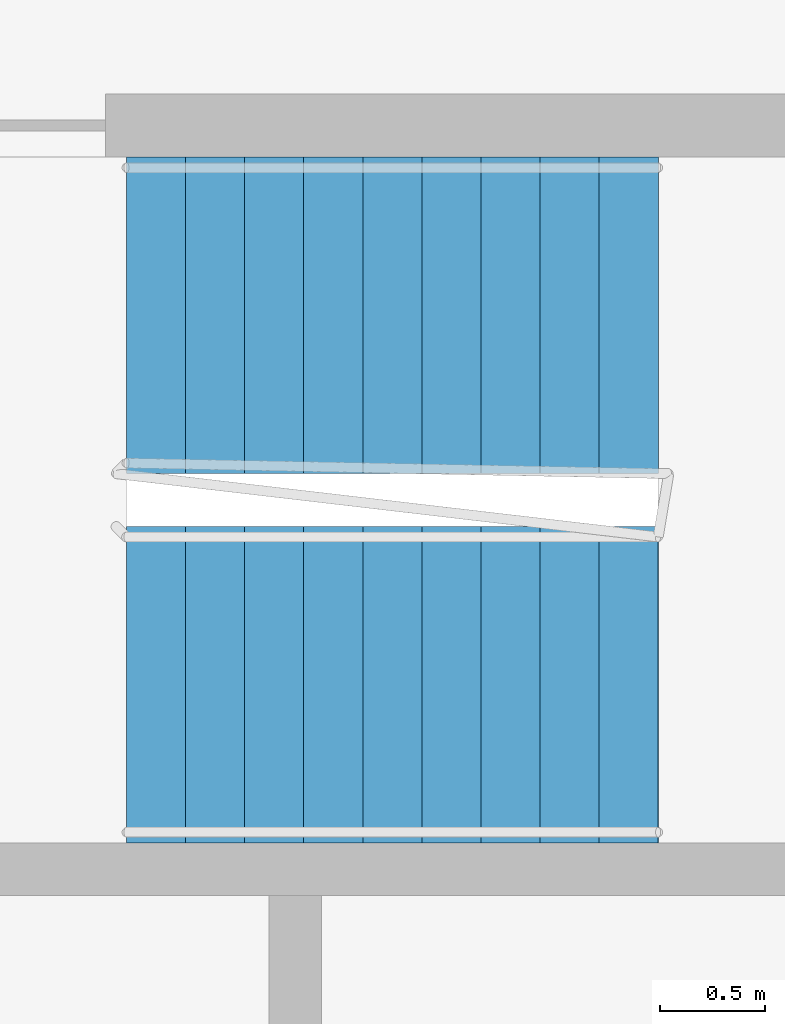
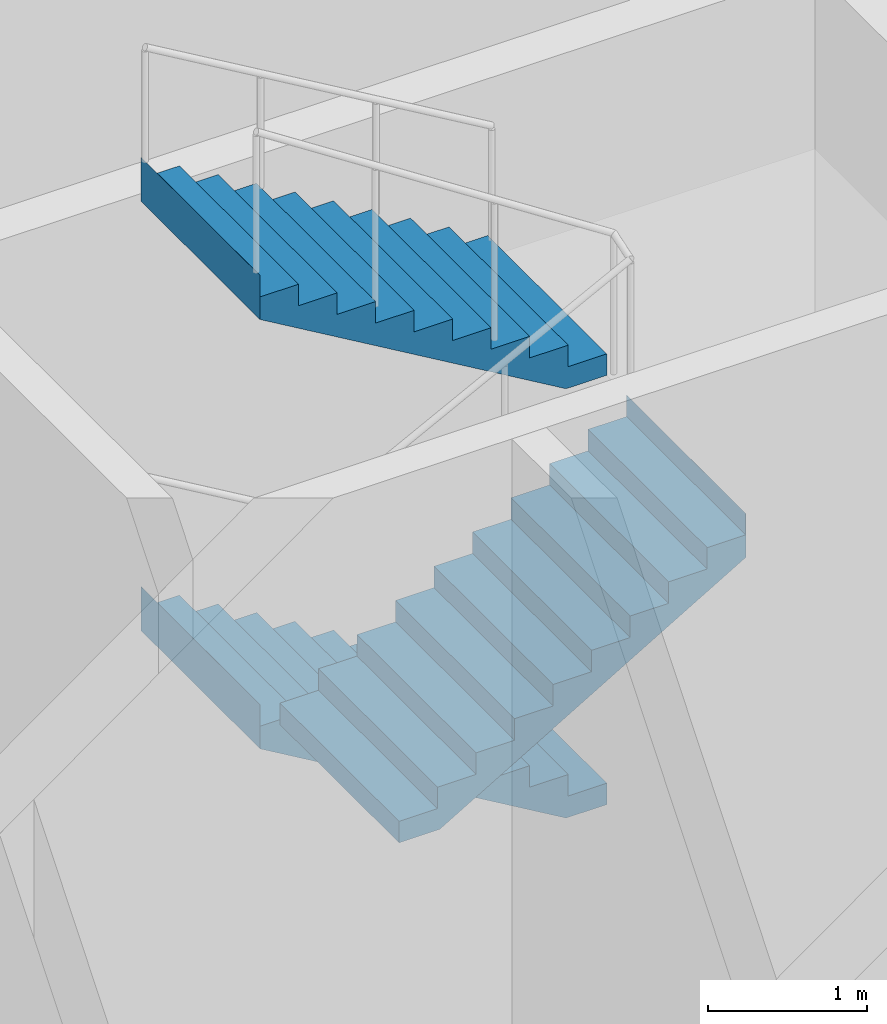
# One storey, part 21 of 24: 3 stair flights, 1 element without a shape of its own.
"""IFC4 building model written with IfcOpenShell, lengths in metres."""

from ifc_helpers import new_model, si_unit, direction, frame, origin, place, context, subcontext, project, spatial, faceted_brep, material, type_object, element, aggregate, save


model = new_model("IFC4")

# Units and contexts
model_context = context("Model", 3, precision=1e-05, world=origin(), true_north=direction((0.0, 1.0)))
body_context = subcontext(model_context, "Body", "Model", "MODEL_VIEW")
ifc_project = project(units=[si_unit("LENGTHUNIT", "METRE"), si_unit("AREAUNIT", "SQUARE_METRE"), si_unit("VOLUMEUNIT", "CUBIC_METRE"), si_unit("PLANEANGLEUNIT", "RADIAN"), si_unit("MASSUNIT", "GRAM", prefix="KILO")], contexts=[model_context])

# Site, building, storey
site_placement = place(None, origin())
site = spatial("IfcSite", under=ifc_project, at=site_placement, CompositionType="ELEMENT")
building_placement = place(site_placement, origin())
building = spatial("IfcBuilding", under=site, at=building_placement, Name="Kajstack Hotel Tower", CompositionType="ELEMENT")
storey_placement = place(building_placement, frame((0.0, 0.0, 211.10009765625)))
storey = spatial("IfcBuildingStorey", under=building, at=storey_placement, Name="L51", CompositionType="ELEMENT", Elevation=211.10009765625)

# Stair, stair flights
ifc_material = material(Name="Concrete C40/50", Category="concrete")
stair_type = type_object("IfcStairType", Name="Exit stair 1500", PredefinedType="HALF_TURN_STAIR", material=ifc_material)
stair_placement = place(storey_placement, origin())
stair = element("IfcStair", 1, at=stair_placement, inside=storey, type_object=stair_type, Name="L51 stair E3", PredefinedType="HALF_TURN_STAIR")
stair_flight_type = type_object("IfcStairFlightType", Name="Exit stair flight 1500", PredefinedType="STRAIGHT", material=ifc_material)
stair_flight_1_placement = place(storey_placement, frame((28.219970703125, 14.449951171875, 1.64990234375), z_axis=(0.0, 0.0, 1.0), x_axis=(-1.0, 0.0, 0.0)))
stair_flight_1 = element("IfcStairFlight", 2, at=stair_flight_1_placement, type_object=stair_flight_type, Name="E3 flight 2", NumberOfRisers=10, NumberOfTreads=9, PredefinedType="STRAIGHT", RiserHeight=0.165, TreadLength=0.28, context=body_context, shape_type="Brep", body=[
    faceted_brep([(0.295654296875, -0.75, 0.0), (2.5205078125, -0.75, 1.31103515625), (2.5205078125, -0.75, 1.64990234375), (2.52001953125, -0.75, 1.64990234375), (2.52001953125, -0.75, 1.485107421875), (2.239990234375, -0.75, 1.485107421875), (2.239990234375, -0.75, 1.320068359375), (1.9599609375, -0.75, 1.320068359375), (1.9599609375, -0.75, 1.155029296875), (1.679931640625, -0.75, 1.155029296875), (1.679931640625, -0.75, 0.989990234375), (1.39990234375, -0.75, 0.989990234375), (1.39990234375, -0.75, 0.824951171875), (1.1201171875, -0.75, 0.824951171875), (1.1201171875, -0.75, 0.659912109375), (0.840087890625, -0.75, 0.659912109375), (0.840087890625, -0.75, 0.4951171875), (0.56005859375, -0.75, 0.4951171875), (0.56005859375, -0.75, 0.330078125), (0.280029296875, -0.75, 0.330078125), (0.280029296875, -0.75, 0.1650390625), (-0.00048828125, -0.75, 0.1650390625), (-0.00048828125, -0.75, 0.0), (-0.00048828125, 0.75, 0.0), (-0.00048828125, 0.75, 0.1650390625), (0.280029296875, 0.75, 0.1650390625), (0.280029296875, 0.75, 0.330078125), (0.56005859375, 0.75, 0.330078125), (0.56005859375, 0.75, 0.4951171875), (0.840087890625, 0.75, 0.4951171875), (0.840087890625, 0.75, 0.659912109375), (1.1201171875, 0.75, 0.659912109375), (1.1201171875, 0.75, 0.824951171875), (1.39990234375, 0.75, 0.824951171875), (1.39990234375, 0.75, 0.989990234375), (1.679931640625, 0.75, 0.989990234375), (1.679931640625, 0.75, 1.155029296875), (1.9599609375, 0.75, 1.155029296875), (1.9599609375, 0.75, 1.320068359375), (2.239990234375, 0.75, 1.320068359375), (2.239990234375, 0.75, 1.485107421875), (2.52001953125, 0.75, 1.485107421875), (2.52001953125, 0.75, 1.64990234375), (2.5205078125, 0.75, 1.64990234375), (2.5205078125, 0.75, 1.31103515625), (0.295654296875, 0.75, 0.0), (-0.00048828125, -0.375, 0.1650390625), (-0.00048828125, 0.0, 0.1650390625), (-0.00048828125, 0.375, 0.1650390625), (-0.00048828125, 0.375, 0.0), (-0.00048828125, 0.0, 0.0), (-0.00048828125, -0.375, 0.0), (0.280029296875, -0.375, 0.1650390625), (0.280029296875, 0.0, 0.1650390625), (0.280029296875, 0.375, 0.1650390625), (0.280029296875, -0.375, 0.330078125), (0.280029296875, 0.0, 0.330078125), (0.280029296875, 0.375, 0.330078125), (0.56005859375, -0.375, 0.330078125), (0.56005859375, 0.0, 0.330078125), (0.56005859375, 0.375, 0.330078125), (0.56005859375, -0.375, 0.4951171875), (0.56005859375, 0.0, 0.4951171875), (0.56005859375, 0.375, 0.4951171875), (0.840087890625, -0.375, 0.4951171875), (0.840087890625, 0.0, 0.4951171875), (0.840087890625, 0.375, 0.4951171875), (0.840087890625, -0.375, 0.659912109375), (0.840087890625, 0.0, 0.659912109375), (0.840087890625, 0.375, 0.659912109375), (1.1201171875, -0.375, 0.659912109375), (1.1201171875, 0.0, 0.659912109375), (1.1201171875, 0.375, 0.659912109375), (1.1201171875, -0.375, 0.824951171875), (1.1201171875, 0.0, 0.824951171875), (1.1201171875, 0.375, 0.824951171875), (1.39990234375, -0.375, 0.824951171875), (1.39990234375, 0.0, 0.824951171875), (1.39990234375, 0.375, 0.824951171875), (1.39990234375, -0.375, 0.989990234375), (1.39990234375, 0.0, 0.989990234375), (1.39990234375, 0.375, 0.989990234375), (1.679931640625, -0.375, 0.989990234375), (1.679931640625, 0.0, 0.989990234375), (1.679931640625, 0.375, 0.989990234375), (1.679931640625, -0.375, 1.155029296875), (1.679931640625, 0.0, 1.155029296875), (1.679931640625, 0.375, 1.155029296875), (1.9599609375, -0.375, 1.155029296875), (1.9599609375, 0.0, 1.155029296875), (1.9599609375, 0.375, 1.155029296875), (1.9599609375, -0.375, 1.320068359375), (1.9599609375, 0.0, 1.320068359375), (1.9599609375, 0.375, 1.320068359375), (2.239990234375, -0.375, 1.320068359375), (2.239990234375, 0.0, 1.320068359375), (2.239990234375, 0.375, 1.320068359375), (2.239990234375, -0.375, 1.485107421875), (2.239990234375, 0.0, 1.485107421875), (2.239990234375, 0.375, 1.485107421875), (2.52001953125, -0.375, 1.485107421875), (2.52001953125, 0.0, 1.485107421875), (2.52001953125, 0.375, 1.485107421875), (2.52001953125, -0.375, 1.64990234375), (2.52001953125, 0.0, 1.64990234375), (2.52001953125, 0.375, 1.64990234375), (2.5205078125, -0.375, 1.64990234375), (2.5205078125, 0.0, 1.64990234375), (2.5205078125, 0.375, 1.64990234375), (2.5205078125, -0.375, 1.31103515625), (2.5205078125, 0.0, 1.31103515625), (2.5205078125, 0.375, 1.31103515625), (0.295654296875, -0.375, 0.0), (0.295654296875, 0.0, 0.0), (0.295654296875, 0.375, 0.0)], [[[0, 1, 2, 3, 4, 5, 6, 7, 8, 9, 10, 11, 12, 13, 14, 15, 16, 17, 18, 19, 20, 21, 22]], [[23, 24, 25, 26, 27, 28, 29, 30, 31, 32, 33, 34, 35, 36, 37, 38, 39, 40, 41, 42, 43, 44, 45]], [[21, 46, 47, 48, 24, 23, 49, 50, 51, 22]], [[20, 52, 53, 54, 25, 24, 48, 47, 46, 21]], [[19, 55, 56, 57, 26, 25, 54, 53, 52, 20]], [[18, 58, 59, 60, 27, 26, 57, 56, 55, 19]], [[17, 61, 62, 63, 28, 27, 60, 59, 58, 18]], [[16, 64, 65, 66, 29, 28, 63, 62, 61, 17]], [[15, 67, 68, 69, 30, 29, 66, 65, 64, 16]], [[14, 70, 71, 72, 31, 30, 69, 68, 67, 15]], [[13, 73, 74, 75, 32, 31, 72, 71, 70, 14]], [[12, 76, 77, 78, 33, 32, 75, 74, 73, 13]], [[11, 79, 80, 81, 34, 33, 78, 77, 76, 12]], [[10, 82, 83, 84, 35, 34, 81, 80, 79, 11]], [[9, 85, 86, 87, 36, 35, 84, 83, 82, 10]], [[8, 88, 89, 90, 37, 36, 87, 86, 85, 9]], [[7, 91, 92, 93, 38, 37, 90, 89, 88, 8]], [[6, 94, 95, 96, 39, 38, 93, 92, 91, 7]], [[5, 97, 98, 99, 40, 39, 96, 95, 94, 6]], [[4, 100, 101, 102, 41, 40, 99, 98, 97, 5]], [[3, 103, 104, 105, 42, 41, 102, 101, 100, 4]], [[2, 106, 107, 108, 43, 42, 105, 104, 103, 3]], [[1, 109, 110, 111, 44, 43, 108, 107, 106, 2]], [[0, 112, 113, 114, 45, 44, 111, 110, 109, 1]], [[22, 51, 50, 49, 23, 45, 114, 113, 112, 0]]]),
])
stair_flight_2_placement = place(storey_placement, frame((25.699951171875, 12.699951171875, 3.2998046875), z_axis=(0.0, 0.0, 1.0), x_axis=(1.0, 0.0, 0.0)))
stair_flight_2 = element("IfcStairFlight", 3, at=stair_flight_2_placement, type_object=stair_flight_type, Name="E3 flight 3", NumberOfRisers=10, NumberOfTreads=9, PredefinedType="STRAIGHT", RiserHeight=0.165, TreadLength=0.28, context=body_context, shape_type="Brep", body=[
    faceted_brep([(0.295654296875, -0.75, 0.0), (2.5205078125, -0.75, 1.31103515625), (2.5205078125, -0.75, 1.64990234375), (2.52001953125, -0.75, 1.64990234375), (2.52001953125, -0.75, 1.485107421875), (2.239990234375, -0.75, 1.485107421875), (2.239990234375, -0.75, 1.320068359375), (1.9599609375, -0.75, 1.320068359375), (1.9599609375, -0.75, 1.155029296875), (1.679931640625, -0.75, 1.155029296875), (1.679931640625, -0.75, 0.989990234375), (1.39990234375, -0.75, 0.989990234375), (1.39990234375, -0.75, 0.824951171875), (1.1201171875, -0.75, 0.824951171875), (1.1201171875, -0.75, 0.659912109375), (0.840087890625, -0.75, 0.659912109375), (0.840087890625, -0.75, 0.4951171875), (0.56005859375, -0.75, 0.4951171875), (0.56005859375, -0.75, 0.330078125), (0.280029296875, -0.75, 0.330078125), (0.280029296875, -0.75, 0.1650390625), (-0.00048828125, -0.75, 0.1650390625), (-0.00048828125, -0.75, 0.0), (-0.00048828125, 0.75, 0.0), (-0.00048828125, 0.75, 0.1650390625), (0.280029296875, 0.75, 0.1650390625), (0.280029296875, 0.75, 0.330078125), (0.56005859375, 0.75, 0.330078125), (0.56005859375, 0.75, 0.4951171875), (0.840087890625, 0.75, 0.4951171875), (0.840087890625, 0.75, 0.659912109375), (1.1201171875, 0.75, 0.659912109375), (1.1201171875, 0.75, 0.824951171875), (1.39990234375, 0.75, 0.824951171875), (1.39990234375, 0.75, 0.989990234375), (1.679931640625, 0.75, 0.989990234375), (1.679931640625, 0.75, 1.155029296875), (1.9599609375, 0.75, 1.155029296875), (1.9599609375, 0.75, 1.320068359375), (2.239990234375, 0.75, 1.320068359375), (2.239990234375, 0.75, 1.485107421875), (2.52001953125, 0.75, 1.485107421875), (2.52001953125, 0.75, 1.64990234375), (2.5205078125, 0.75, 1.64990234375), (2.5205078125, 0.75, 1.31103515625), (0.295654296875, 0.75, 0.0), (-0.00048828125, -0.375, 0.1650390625), (-0.00048828125, 0.0, 0.1650390625), (-0.00048828125, 0.375, 0.1650390625), (-0.00048828125, 0.375, 0.0), (-0.00048828125, 0.0, 0.0), (-0.00048828125, -0.375, 0.0), (0.280029296875, -0.375, 0.1650390625), (0.280029296875, 0.0, 0.1650390625), (0.280029296875, 0.375, 0.1650390625), (0.280029296875, -0.375, 0.330078125), (0.280029296875, 0.0, 0.330078125), (0.280029296875, 0.375, 0.330078125), (0.56005859375, -0.375, 0.330078125), (0.56005859375, 0.0, 0.330078125), (0.56005859375, 0.375, 0.330078125), (0.56005859375, -0.375, 0.4951171875), (0.56005859375, 0.0, 0.4951171875), (0.56005859375, 0.375, 0.4951171875), (0.840087890625, -0.375, 0.4951171875), (0.840087890625, 0.0, 0.4951171875), (0.840087890625, 0.375, 0.4951171875), (0.840087890625, -0.375, 0.659912109375), (0.840087890625, 0.0, 0.659912109375), (0.840087890625, 0.375, 0.659912109375), (1.1201171875, -0.375, 0.659912109375), (1.1201171875, 0.0, 0.659912109375), (1.1201171875, 0.375, 0.659912109375), (1.1201171875, -0.375, 0.824951171875), (1.1201171875, 0.0, 0.824951171875), (1.1201171875, 0.375, 0.824951171875), (1.39990234375, -0.375, 0.824951171875), (1.39990234375, 0.0, 0.824951171875), (1.39990234375, 0.375, 0.824951171875), (1.39990234375, -0.375, 0.989990234375), (1.39990234375, 0.0, 0.989990234375), (1.39990234375, 0.375, 0.989990234375), (1.679931640625, -0.375, 0.989990234375), (1.679931640625, 0.0, 0.989990234375), (1.679931640625, 0.375, 0.989990234375), (1.679931640625, -0.375, 1.155029296875), (1.679931640625, 0.0, 1.155029296875), (1.679931640625, 0.375, 1.155029296875), (1.9599609375, -0.375, 1.155029296875), (1.9599609375, 0.0, 1.155029296875), (1.9599609375, 0.375, 1.155029296875), (1.9599609375, -0.375, 1.320068359375), (1.9599609375, 0.0, 1.320068359375), (1.9599609375, 0.375, 1.320068359375), (2.239990234375, -0.375, 1.320068359375), (2.239990234375, 0.0, 1.320068359375), (2.239990234375, 0.375, 1.320068359375), (2.239990234375, -0.375, 1.485107421875), (2.239990234375, 0.0, 1.485107421875), (2.239990234375, 0.375, 1.485107421875), (2.52001953125, -0.375, 1.485107421875), (2.52001953125, 0.0, 1.485107421875), (2.52001953125, 0.375, 1.485107421875), (2.52001953125, -0.375, 1.64990234375), (2.52001953125, 0.0, 1.64990234375), (2.52001953125, 0.375, 1.64990234375), (2.5205078125, -0.375, 1.64990234375), (2.5205078125, 0.0, 1.64990234375), (2.5205078125, 0.375, 1.64990234375), (2.5205078125, -0.375, 1.31103515625), (2.5205078125, 0.0, 1.31103515625), (2.5205078125, 0.375, 1.31103515625), (0.295654296875, -0.375, 0.0), (0.295654296875, 0.0, 0.0), (0.295654296875, 0.375, 0.0)], [[[0, 1, 2, 3, 4, 5, 6, 7, 8, 9, 10, 11, 12, 13, 14, 15, 16, 17, 18, 19, 20, 21, 22]], [[23, 24, 25, 26, 27, 28, 29, 30, 31, 32, 33, 34, 35, 36, 37, 38, 39, 40, 41, 42, 43, 44, 45]], [[21, 46, 47, 48, 24, 23, 49, 50, 51, 22]], [[20, 52, 53, 54, 25, 24, 48, 47, 46, 21]], [[19, 55, 56, 57, 26, 25, 54, 53, 52, 20]], [[18, 58, 59, 60, 27, 26, 57, 56, 55, 19]], [[17, 61, 62, 63, 28, 27, 60, 59, 58, 18]], [[16, 64, 65, 66, 29, 28, 63, 62, 61, 17]], [[15, 67, 68, 69, 30, 29, 66, 65, 64, 16]], [[14, 70, 71, 72, 31, 30, 69, 68, 67, 15]], [[13, 73, 74, 75, 32, 31, 72, 71, 70, 14]], [[12, 76, 77, 78, 33, 32, 75, 74, 73, 13]], [[11, 79, 80, 81, 34, 33, 78, 77, 76, 12]], [[10, 82, 83, 84, 35, 34, 81, 80, 79, 11]], [[9, 85, 86, 87, 36, 35, 84, 83, 82, 10]], [[8, 88, 89, 90, 37, 36, 87, 86, 85, 9]], [[7, 91, 92, 93, 38, 37, 90, 89, 88, 8]], [[6, 94, 95, 96, 39, 38, 93, 92, 91, 7]], [[5, 97, 98, 99, 40, 39, 96, 95, 94, 6]], [[4, 100, 101, 102, 41, 40, 99, 98, 97, 5]], [[3, 103, 104, 105, 42, 41, 102, 101, 100, 4]], [[2, 106, 107, 108, 43, 42, 105, 104, 103, 3]], [[1, 109, 110, 111, 44, 43, 108, 107, 106, 2]], [[0, 112, 113, 114, 45, 44, 111, 110, 109, 1]], [[22, 51, 50, 49, 23, 45, 114, 113, 112, 0]]]),
])
stair_flight_3_placement = place(storey_placement, frame((28.219970703125, 14.449951171875, 4.949951171875), z_axis=(0.0, 0.0, 1.0), x_axis=(-1.0, 0.0, 0.0)))
stair_flight_3 = element("IfcStairFlight", 4, at=stair_flight_3_placement, type_object=stair_flight_type, Name="E3 flight 4", NumberOfRisers=10, NumberOfTreads=9, PredefinedType="STRAIGHT", RiserHeight=0.165, TreadLength=0.28, context=body_context, shape_type="Brep", body=[
    faceted_brep([(0.295654296875, -0.75, 0.0), (2.5205078125, -0.75, 1.31103515625), (2.5205078125, -0.75, 1.64990234375), (2.52001953125, -0.75, 1.64990234375), (2.52001953125, -0.75, 1.485107421875), (2.239990234375, -0.75, 1.485107421875), (2.239990234375, -0.75, 1.320068359375), (1.9599609375, -0.75, 1.320068359375), (1.9599609375, -0.75, 1.155029296875), (1.679931640625, -0.75, 1.155029296875), (1.679931640625, -0.75, 0.989990234375), (1.39990234375, -0.75, 0.989990234375), (1.39990234375, -0.75, 0.824951171875), (1.1201171875, -0.75, 0.824951171875), (1.1201171875, -0.75, 0.659912109375), (0.840087890625, -0.75, 0.659912109375), (0.840087890625, -0.75, 0.4951171875), (0.56005859375, -0.75, 0.4951171875), (0.56005859375, -0.75, 0.330078125), (0.280029296875, -0.75, 0.330078125), (0.280029296875, -0.75, 0.1650390625), (-0.00048828125, -0.75, 0.1650390625), (-0.00048828125, -0.75, 0.0), (-0.00048828125, 0.75, 0.0), (-0.00048828125, 0.75, 0.1650390625), (0.280029296875, 0.75, 0.1650390625), (0.280029296875, 0.75, 0.330078125), (0.56005859375, 0.75, 0.330078125), (0.56005859375, 0.75, 0.4951171875), (0.840087890625, 0.75, 0.4951171875), (0.840087890625, 0.75, 0.659912109375), (1.1201171875, 0.75, 0.659912109375), (1.1201171875, 0.75, 0.824951171875), (1.39990234375, 0.75, 0.824951171875), (1.39990234375, 0.75, 0.989990234375), (1.679931640625, 0.75, 0.989990234375), (1.679931640625, 0.75, 1.155029296875), (1.9599609375, 0.75, 1.155029296875), (1.9599609375, 0.75, 1.320068359375), (2.239990234375, 0.75, 1.320068359375), (2.239990234375, 0.75, 1.485107421875), (2.52001953125, 0.75, 1.485107421875), (2.52001953125, 0.75, 1.64990234375), (2.5205078125, 0.75, 1.64990234375), (2.5205078125, 0.75, 1.31103515625), (0.295654296875, 0.75, 0.0), (-0.00048828125, -0.375, 0.1650390625), (-0.00048828125, 0.0, 0.1650390625), (-0.00048828125, 0.375, 0.1650390625), (-0.00048828125, 0.375, 0.0), (-0.00048828125, 0.0, 0.0), (-0.00048828125, -0.375, 0.0), (0.280029296875, -0.375, 0.1650390625), (0.280029296875, 0.0, 0.1650390625), (0.280029296875, 0.375, 0.1650390625), (0.280029296875, -0.375, 0.330078125), (0.280029296875, 0.0, 0.330078125), (0.280029296875, 0.375, 0.330078125), (0.56005859375, -0.375, 0.330078125), (0.56005859375, 0.0, 0.330078125), (0.56005859375, 0.375, 0.330078125), (0.56005859375, -0.375, 0.4951171875), (0.56005859375, 0.0, 0.4951171875), (0.56005859375, 0.375, 0.4951171875), (0.840087890625, -0.375, 0.4951171875), (0.840087890625, 0.0, 0.4951171875), (0.840087890625, 0.375, 0.4951171875), (0.840087890625, -0.375, 0.659912109375), (0.840087890625, 0.0, 0.659912109375), (0.840087890625, 0.375, 0.659912109375), (1.1201171875, -0.375, 0.659912109375), (1.1201171875, 0.0, 0.659912109375), (1.1201171875, 0.375, 0.659912109375), (1.1201171875, -0.375, 0.824951171875), (1.1201171875, 0.0, 0.824951171875), (1.1201171875, 0.375, 0.824951171875), (1.39990234375, -0.375, 0.824951171875), (1.39990234375, 0.0, 0.824951171875), (1.39990234375, 0.375, 0.824951171875), (1.39990234375, -0.375, 0.989990234375), (1.39990234375, 0.0, 0.989990234375), (1.39990234375, 0.375, 0.989990234375), (1.679931640625, -0.375, 0.989990234375), (1.679931640625, 0.0, 0.989990234375), (1.679931640625, 0.375, 0.989990234375), (1.679931640625, -0.375, 1.155029296875), (1.679931640625, 0.0, 1.155029296875), (1.679931640625, 0.375, 1.155029296875), (1.9599609375, -0.375, 1.155029296875), (1.9599609375, 0.0, 1.155029296875), (1.9599609375, 0.375, 1.155029296875), (1.9599609375, -0.375, 1.320068359375), (1.9599609375, 0.0, 1.320068359375), (1.9599609375, 0.375, 1.320068359375), (2.239990234375, -0.375, 1.320068359375), (2.239990234375, 0.0, 1.320068359375), (2.239990234375, 0.375, 1.320068359375), (2.239990234375, -0.375, 1.485107421875), (2.239990234375, 0.0, 1.485107421875), (2.239990234375, 0.375, 1.485107421875), (2.52001953125, -0.375, 1.485107421875), (2.52001953125, 0.0, 1.485107421875), (2.52001953125, 0.375, 1.485107421875), (2.52001953125, -0.375, 1.64990234375), (2.52001953125, 0.0, 1.64990234375), (2.52001953125, 0.375, 1.64990234375), (2.5205078125, -0.375, 1.64990234375), (2.5205078125, 0.0, 1.64990234375), (2.5205078125, 0.375, 1.64990234375), (2.5205078125, -0.375, 1.31103515625), (2.5205078125, 0.0, 1.31103515625), (2.5205078125, 0.375, 1.31103515625), (0.295654296875, -0.375, 0.0), (0.295654296875, 0.0, 0.0), (0.295654296875, 0.375, 0.0)], [[[0, 1, 2, 3, 4, 5, 6, 7, 8, 9, 10, 11, 12, 13, 14, 15, 16, 17, 18, 19, 20, 21, 22]], [[23, 24, 25, 26, 27, 28, 29, 30, 31, 32, 33, 34, 35, 36, 37, 38, 39, 40, 41, 42, 43, 44, 45]], [[21, 46, 47, 48, 24, 23, 49, 50, 51, 22]], [[20, 52, 53, 54, 25, 24, 48, 47, 46, 21]], [[19, 55, 56, 57, 26, 25, 54, 53, 52, 20]], [[18, 58, 59, 60, 27, 26, 57, 56, 55, 19]], [[17, 61, 62, 63, 28, 27, 60, 59, 58, 18]], [[16, 64, 65, 66, 29, 28, 63, 62, 61, 17]], [[15, 67, 68, 69, 30, 29, 66, 65, 64, 16]], [[14, 70, 71, 72, 31, 30, 69, 68, 67, 15]], [[13, 73, 74, 75, 32, 31, 72, 71, 70, 14]], [[12, 76, 77, 78, 33, 32, 75, 74, 73, 13]], [[11, 79, 80, 81, 34, 33, 78, 77, 76, 12]], [[10, 82, 83, 84, 35, 34, 81, 80, 79, 11]], [[9, 85, 86, 87, 36, 35, 84, 83, 82, 10]], [[8, 88, 89, 90, 37, 36, 87, 86, 85, 9]], [[7, 91, 92, 93, 38, 37, 90, 89, 88, 8]], [[6, 94, 95, 96, 39, 38, 93, 92, 91, 7]], [[5, 97, 98, 99, 40, 39, 96, 95, 94, 6]], [[4, 100, 101, 102, 41, 40, 99, 98, 97, 5]], [[3, 103, 104, 105, 42, 41, 102, 101, 100, 4]], [[2, 106, 107, 108, 43, 42, 105, 104, 103, 3]], [[1, 109, 110, 111, 44, 43, 108, 107, 106, 2]], [[0, 112, 113, 114, 45, 44, 111, 110, 109, 1]], [[22, 51, 50, 49, 23, 45, 114, 113, 112, 0]]]),
])
aggregate(stair, [stair_flight_1, stair_flight_2, stair_flight_3])

save(model, "model.ifc")
